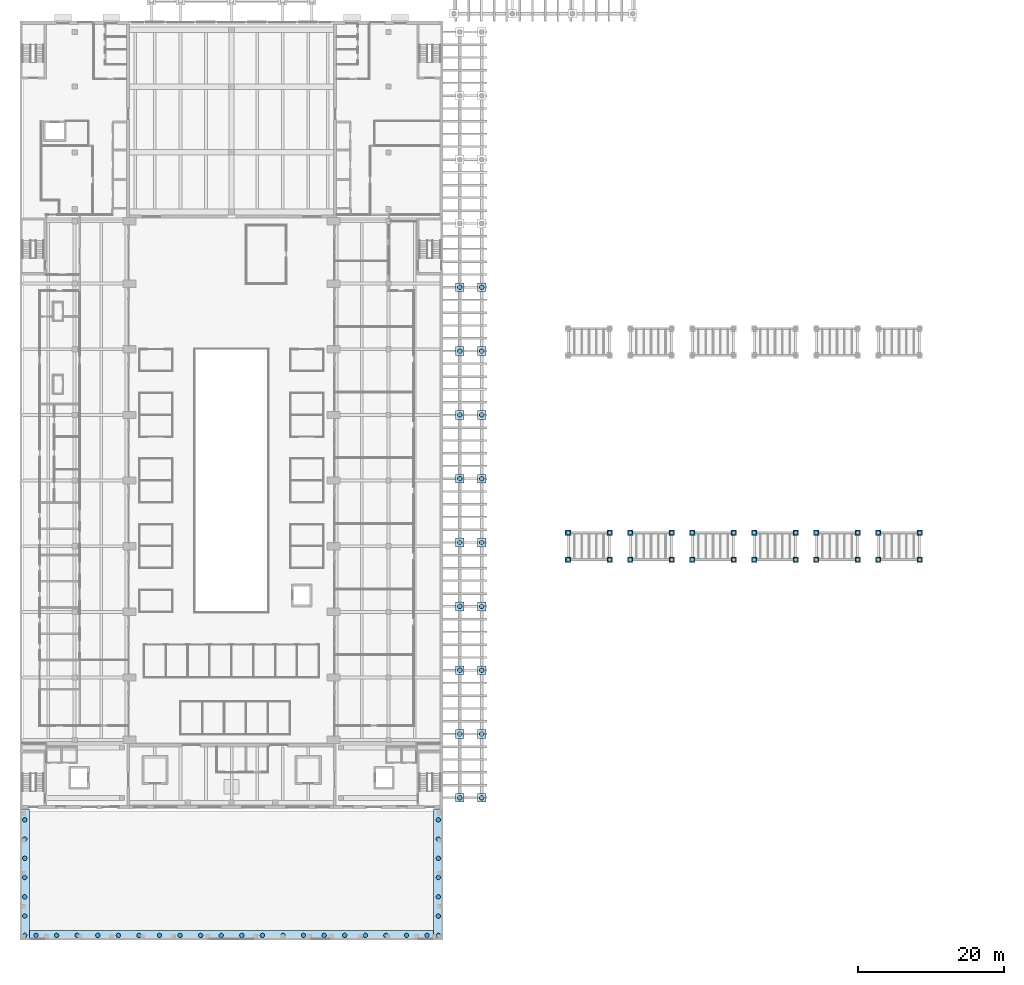
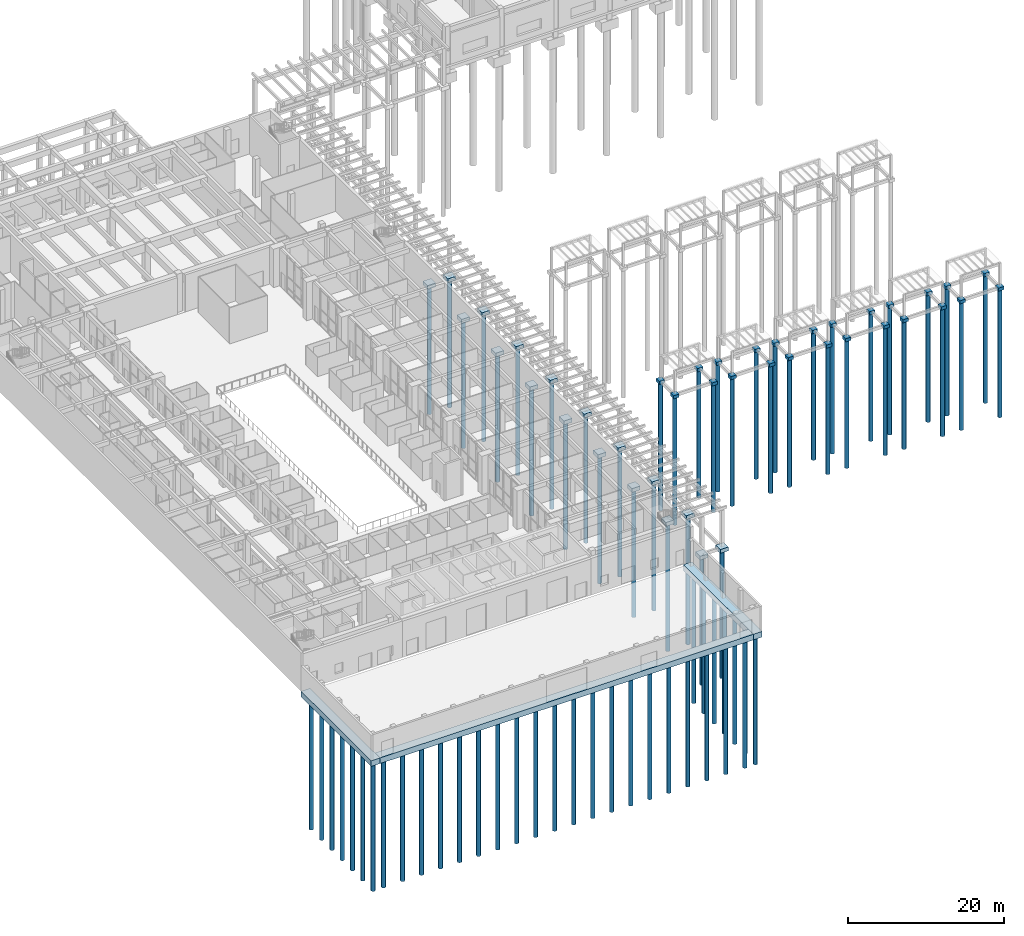
# One storey, part 1 of 51: 76 piles, 45 footings.
"""IFC4 building model written with IfcOpenShell, lengths in metres."""

from ifc_helpers import new_model, si_unit, direction, frame, origin, origin_2d, place, context, subcontext, project, spatial, polyline, circle, outline, extrude, material, layer, layer_set, material_profile, profile_set, type_object, element, save


model = new_model("IFC4")

# Units and contexts
model_context = context("Model", 3, precision=1e-05, world=origin(), true_north=direction((0.0, 1.0)))
body_context = subcontext(model_context, "Body", "Model", "MODEL_VIEW")
ifc_project = project(units=[si_unit("LENGTHUNIT", "METRE"), si_unit("AREAUNIT", "SQUARE_METRE"), si_unit("VOLUMEUNIT", "CUBIC_METRE"), si_unit("PLANEANGLEUNIT", "RADIAN"), si_unit("MASSUNIT", "GRAM", prefix="KILO")], contexts=[model_context])

# Site, building, storey
site_placement = place(None, origin())
site = spatial("IfcSite", under=ifc_project, at=site_placement, CompositionType="ELEMENT")
building_placement = place(site_placement, origin())
building = spatial("IfcBuilding", under=site, at=building_placement, Name="Elmora Arch Market Hall", CompositionType="ELEMENT")
storey_placement = place(building_placement, origin())
storey = spatial("IfcBuildingStorey", under=building, at=storey_placement, Name="L00", CompositionType="ELEMENT", Elevation=0.0)

# Piles
ifc_material_1 = material(Name="Concrete C40/50", Category="concrete")
ifc_material_profile = material_profile(ifc_material_1, circle(Radius=0.300048828125, at=origin_2d()), Name="Bored pile D600")
ifc_profile_set = profile_set([ifc_material_profile], Name="Concrete C40/50")
pile_type = type_object("IfcPileType", Name="Bored pile D600", PredefinedType="BORED", material=ifc_profile_set)
for number, where, z_axis, x_axis, name in (
    (1, (60.300048828125, 19.5, -0.89990234375), (0.0, 0.0, -1.0), (1.0, 0.0, 0.0), "Bored pile PASS-E-01"),
    (2, (60.300048828125, 28.25, -0.89990234375), (0.0, 0.0, -1.0), (1.0, 0.0, 0.0), "Bored pile PASS-E-02"),
    (3, (60.300048828125, 37.0, -0.89990234375), (0.0, 0.0, -1.0), (1.0, 0.0, 0.0), "Bored pile PASS-E-03"),
    (4, (60.300048828125, 45.75, -0.89990234375), (0.0, 0.0, -1.0), (1.0, 0.0, 0.0), "Bored pile PASS-E-04"),
    (5, (60.300048828125, 54.5, -0.89990234375), (0.0, 0.0, -1.0), (1.0, 0.0, 0.0), "Bored pile PASS-E-05"),
    (6, (60.300048828125, 63.25, -0.89990234375), (0.0, 0.0, -1.0), (1.0, 0.0, 0.0), "Bored pile PASS-E-06"),
    (7, (60.300048828125, 72.0, -0.89990234375), (0.0, 0.0, -1.0), (1.0, 0.0, 0.0), "Bored pile PASS-E-07"),
    (8, (60.300048828125, 80.75, -0.89990234375), (0.0, 0.0, -1.0), (1.0, 0.0, 0.0), "Bored pile PASS-E-08"),
    (9, (60.300048828125, 89.5, -0.89990234375), (0.0, 0.0, -1.0), (1.0, 0.0, 0.0), "Bored pile PASS-E-09"),
    (10, (63.300048828125, 19.5, -0.89990234375), (0.0, 0.0, -1.0), (1.0, 0.0, 0.0), "Bored pile PASS-E-14"),
    (11, (63.300048828125, 28.25, -0.89990234375), (0.0, 0.0, -1.0), (1.0, 0.0, 0.0), "Bored pile PASS-E-15"),
    (12, (63.300048828125, 37.0, -0.89990234375), (0.0, 0.0, -1.0), (1.0, 0.0, 0.0), "Bored pile PASS-E-16"),
    (13, (63.300048828125, 45.75, -0.89990234375), (0.0, 0.0, -1.0), (1.0, 0.0, 0.0), "Bored pile PASS-E-17"),
    (14, (63.300048828125, 54.5, -0.89990234375), (0.0, 0.0, -1.0), (1.0, 0.0, 0.0), "Bored pile PASS-E-18"),
    (15, (63.300048828125, 63.25, -0.89990234375), (0.0, 0.0, -1.0), (1.0, 0.0, 0.0), "Bored pile PASS-E-19"),
    (16, (63.300048828125, 72.0, -0.89990234375), (0.0, 0.0, -1.0), (1.0, 0.0, 0.0), "Bored pile PASS-E-20"),
    (17, (63.300048828125, 80.75, -0.89990234375), (0.0, 0.0, -1.0), (1.0, 0.0, 0.0), "Bored pile PASS-E-21"),
    (18, (63.300048828125, 89.5, -0.89990234375), (0.0, 0.0, -1.0), (1.0, 0.0, 0.0), "Bored pile PASS-E-22"),
    (19, (75.14990234375, 52.14990234375, -0.800048828125), (0.0, 0.0, -1.0), (1.0, 0.0, 0.0), "Bored pile STALL-11-1"),
    (20, (80.85009765625, 52.14990234375, -0.800048828125), (0.0, 0.0, -1.0), (1.0, 0.0, 0.0), "Bored pile STALL-11-2"),
    (21, (75.14990234375, 55.85009765625, -0.800048828125), (0.0, 0.0, -1.0), (1.0, 0.0, 0.0), "Bored pile STALL-11-3"),
    (22, (80.85009765625, 55.85009765625, -0.800048828125), (0.0, 0.0, -1.0), (1.0, 0.0, 0.0), "Bored pile STALL-11-4"),
    (23, (83.64990234375, 52.14990234375, -0.800048828125), (0.0, 0.0, -1.0), (1.0, 0.0, 0.0), "Bored pile STALL-12-1"),
    (24, (89.35009765625, 52.14990234375, -0.800048828125), (0.0, 0.0, -1.0), (1.0, 0.0, 0.0), "Bored pile STALL-12-2"),
    (25, (83.64990234375, 55.85009765625, -0.800048828125), (0.0, 0.0, -1.0), (1.0, 0.0, 0.0), "Bored pile STALL-12-3"),
    (26, (89.35009765625, 55.85009765625, -0.800048828125), (0.0, 0.0, -1.0), (1.0, 0.0, 0.0), "Bored pile STALL-12-4"),
    (27, (92.14990234375, 52.14990234375, -0.800048828125), (0.0, 0.0, -1.0), (1.0, 0.0, 0.0), "Bored pile STALL-13-1"),
    (28, (97.85009765625, 52.14990234375, -0.800048828125), (0.0, 0.0, -1.0), (1.0, 0.0, 0.0), "Bored pile STALL-13-2"),
    (29, (92.14990234375, 55.85009765625, -0.800048828125), (0.0, 0.0, -1.0), (1.0, 0.0, 0.0), "Bored pile STALL-13-3"),
    (30, (97.85009765625, 55.85009765625, -0.800048828125), (0.0, 0.0, -1.0), (1.0, 0.0, 0.0), "Bored pile STALL-13-4"),
    (31, (100.64990234375, 52.14990234375, -0.800048828125), (0.0, 0.0, -1.0), (1.0, 0.0, 0.0), "Bored pile STALL-14-1"),
    (32, (106.35009765625, 52.14990234375, -0.800048828125), (0.0, 0.0, -1.0), (1.0, 0.0, 0.0), "Bored pile STALL-14-2"),
    (33, (100.64990234375, 55.85009765625, -0.800048828125), (0.0, 0.0, -1.0), (1.0, 0.0, 0.0), "Bored pile STALL-14-3"),
    (34, (106.35009765625, 55.85009765625, -0.800048828125), (0.0, 0.0, -1.0), (1.0, 0.0, 0.0), "Bored pile STALL-14-4"),
    (35, (109.14990234375, 52.14990234375, -0.800048828125), (0.0, 0.0, -1.0), (1.0, 0.0, 0.0), "Bored pile STALL-15-1"),
    (36, (114.85009765625, 52.14990234375, -0.800048828125), (0.0, 0.0, -1.0), (1.0, 0.0, 0.0), "Bored pile STALL-15-2"),
    (37, (109.14990234375, 55.85009765625, -0.800048828125), (0.0, 0.0, -1.0), (1.0, 0.0, 0.0), "Bored pile STALL-15-3"),
    (38, (114.85009765625, 55.85009765625, -0.800048828125), (0.0, 0.0, -1.0), (1.0, 0.0, 0.0), "Bored pile STALL-15-4"),
    (39, (117.64990234375, 52.14990234375, -0.800048828125), (0.0, 0.0, -1.0), (1.0, 0.0, 0.0), "Bored pile STALL-16-1"),
    (40, (123.35009765625, 52.14990234375, -0.800048828125), (0.0, 0.0, -1.0), (1.0, 0.0, 0.0), "Bored pile STALL-16-2"),
    (41, (117.64990234375, 55.85009765625, -0.800048828125), (0.0, 0.0, -1.0), (1.0, 0.0, 0.0), "Bored pile STALL-16-3"),
    (42, (123.35009765625, 55.85009765625, -0.800048828125), (0.0, 0.0, -1.0), (1.0, 0.0, 0.0), "Bored pile STALL-16-4"),
    (43, (0.64990234375, 0.64990234375, -0.89990234375), (0.0, 0.0, -1.0), (1.0, 0.0, 0.0), "Bored pile 901.01"),
    (44, (0.64990234375, 3.2900390625, -0.89990234375), (0.0, 0.0, -1.0), (1.0, 0.0, 0.0), "Bored pile 901.02"),
    (45, (0.64990234375, 5.929931640625, -0.89990234375), (0.0, 0.0, -1.0), (1.0, 0.0, 0.0), "Bored pile 901.03"),
    (46, (0.64990234375, 8.570068359375, -0.89990234375), (0.0, 0.0, -1.0), (1.0, 0.0, 0.0), "Bored pile 901.04"),
    (47, (0.64990234375, 11.2099609375, -0.89990234375), (0.0, 0.0, -1.0), (1.0, 0.0, 0.0), "Bored pile 901.05"),
    (48, (0.64990234375, 13.85009765625, -0.89990234375), (0.0, 0.0, -1.0), (1.0, 0.0, 0.0), "Bored pile 901.06"),
    (49, (0.64990234375, 16.489990234375, -0.89990234375), (0.0, 0.0, -1.0), (1.0, 0.0, 0.0), "Bored pile 901.07"),
    (50, (2.199951171875, 0.64990234375, -0.89990234375), (0.0, 0.0, -1.0), (1.0, 0.0, 0.0), "Bored pile 902.01"),
    (51, (5.02099609375, 0.64990234375, -0.89990234375), (0.0, 0.0, -1.0), (1.0, 0.0, 0.0), "Bored pile 902.02"),
    (52, (7.842041015625, 0.64990234375, -0.89990234375), (0.0, 0.0, -1.0), (1.0, 0.0, 0.0), "Bored pile 902.03"),
    (53, (10.6630859375, 0.64990234375, -0.89990234375), (0.0, 0.0, -1.0), (1.0, 0.0, 0.0), "Bored pile 902.04"),
    (54, (13.484130859375, 0.64990234375, -0.89990234375), (0.0, 0.0, -1.0), (1.0, 0.0, 0.0), "Bored pile 902.05"),
    (55, (16.30517578125, 0.64990234375, -0.89990234375), (0.0, 0.0, -1.0), (1.0, 0.0, 0.0), "Bored pile 902.06"),
    (56, (19.126220703125, 0.64990234375, -0.89990234375), (0.0, 0.0, -1.0), (1.0, 0.0, 0.0), "Bored pile 902.07"),
    (57, (21.947265625, 0.64990234375, -0.89990234375), (0.0, 0.0, -1.0), (1.0, 0.0, 0.0), "Bored pile 902.08"),
    (58, (24.768310546875, 0.64990234375, -0.89990234375), (0.0, 0.0, -1.0), (1.0, 0.0, 0.0), "Bored pile 902.09"),
    (59, (27.58935546875, 0.64990234375, -0.89990234375), (0.0, 0.0, -1.0), (1.0, 0.0, 0.0), "Bored pile 902.10"),
    (60, (30.41064453125, 0.64990234375, -0.89990234375), (0.0, 0.0, -1.0), (1.0, 0.0, 0.0), "Bored pile 902.11"),
    (61, (33.231689453125, 0.64990234375, -0.89990234375), (0.0, 0.0, -1.0), (1.0, 0.0, 0.0), "Bored pile 902.12"),
    (62, (36.052734375, 0.64990234375, -0.89990234375), (0.0, 0.0, -1.0), (1.0, 0.0, 0.0), "Bored pile 902.13"),
    (63, (38.873779296875, 0.64990234375, -0.89990234375), (0.0, 0.0, -1.0), (1.0, 0.0, 0.0), "Bored pile 902.14"),
    (64, (41.69482421875, 0.64990234375, -0.89990234375), (0.0, 0.0, -1.0), (1.0, 0.0, 0.0), "Bored pile 902.15"),
    (65, (44.515869140625, 0.64990234375, -0.89990234375), (0.0, 0.0, -1.0), (1.0, 0.0, 0.0), "Bored pile 902.16"),
    (66, (47.3369140625, 0.64990234375, -0.89990234375), (0.0, 0.0, -1.0), (1.0, 0.0, 0.0), "Bored pile 902.17"),
    (67, (50.157958984375, 0.64990234375, -0.89990234375), (0.0, 0.0, -1.0), (1.0, 0.0, 0.0), "Bored pile 902.18"),
    (68, (52.97900390625, 0.64990234375, -0.89990234375), (0.0, 0.0, -1.0), (1.0, 0.0, 0.0), "Bored pile 902.19"),
    (69, (55.800048828125, 0.64990234375, -0.89990234375), (0.0, 0.0, -1.0), (1.0, 0.0, 0.0), "Bored pile 902.20"),
    (70, (57.35009765625, 0.64990234375, -0.89990234375), (0.0, 0.0, -1.0), (1.0, 0.0, 0.0), "Bored pile 903.01"),
    (71, (57.35009765625, 3.2900390625, -0.89990234375), (0.0, 0.0, -1.0), (1.0, 0.0, 0.0), "Bored pile 903.02"),
    (72, (57.35009765625, 5.929931640625, -0.89990234375), (0.0, 0.0, -1.0), (1.0, 0.0, 0.0), "Bored pile 903.03"),
    (73, (57.35009765625, 8.570068359375, -0.89990234375), (0.0, 0.0, -1.0), (1.0, 0.0, 0.0), "Bored pile 903.04"),
    (74, (57.35009765625, 11.2099609375, -0.89990234375), (0.0, 0.0, -1.0), (1.0, 0.0, 0.0), "Bored pile 903.05"),
    (75, (57.35009765625, 13.85009765625, -0.89990234375), (0.0, 0.0, -1.0), (1.0, 0.0, 0.0), "Bored pile 903.06"),
    (76, (57.35009765625, 16.489990234375, -0.89990234375), (0.0, 0.0, -1.0), (1.0, 0.0, 0.0), "Bored pile 903.07"),
):
    element("IfcPile", number, at=place(storey_placement, frame(where, z_axis=z_axis, x_axis=x_axis)), inside=storey, type_object=pile_type, Name=name, PredefinedType="BORED", context=body_context, shape_type="SweptSolid", body=[
        extrude(circle(Radius=0.300048828125, at=origin_2d()), origin(), (0.0, 0.0, 1.0), 20.0),
    ])

# Footings
ifc_material_2 = material(Name="Concrete C40/50", Category="concrete")
ifc_layer_1 = layer(ifc_material_2, 0.5)
ifc_layer_set_1 = layer_set([ifc_layer_1], Name="Concrete C40/50")
footing_type_1 = type_object("IfcFootingType", Name="Pad footing 500", PredefinedType="PAD_FOOTING", material=ifc_layer_set_1)
footing_1_placement = place(storey_placement, frame((0.0, 0.0, -0.800048828125)))
element("IfcFooting", 77, at=footing_1_placement, inside=storey, type_object=footing_type_1, Name="Pad footing STALL-11-1", PredefinedType="PAD_FOOTING", context=body_context, shape_type="SweptSolid", body=[
    extrude(outline(polyline([(74.75, 51.75), (75.550048828125, 51.75), (75.550048828125, 52.550048828125), (74.75, 52.550048828125), (74.75, 51.75)])), origin(), (0.0, 0.0, 1.0), 0.5),
])
footing_2_placement = place(storey_placement, frame((0.0, 0.0, -0.800048828125)))
element("IfcFooting", 78, at=footing_2_placement, inside=storey, type_object=footing_type_1, Name="Pad footing STALL-11-2", PredefinedType="PAD_FOOTING", context=body_context, shape_type="SweptSolid", body=[
    extrude(outline(polyline([(80.449951171875, 51.75), (81.25, 51.75), (81.25, 52.550048828125), (80.449951171875, 52.550048828125), (80.449951171875, 51.75)])), origin(), (0.0, 0.0, 1.0), 0.5),
])
footing_3_placement = place(storey_placement, frame((0.0, 0.0, -0.800048828125)))
element("IfcFooting", 79, at=footing_3_placement, inside=storey, type_object=footing_type_1, Name="Pad footing STALL-11-3", PredefinedType="PAD_FOOTING", context=body_context, shape_type="SweptSolid", body=[
    extrude(outline(polyline([(74.75, 55.449951171875), (75.550048828125, 55.449951171875), (75.550048828125, 56.25), (74.75, 56.25), (74.75, 55.449951171875)])), origin(), (0.0, 0.0, 1.0), 0.5),
])
footing_4_placement = place(storey_placement, frame((0.0, 0.0, -0.800048828125)))
element("IfcFooting", 80, at=footing_4_placement, inside=storey, type_object=footing_type_1, Name="Pad footing STALL-11-4", PredefinedType="PAD_FOOTING", context=body_context, shape_type="SweptSolid", body=[
    extrude(outline(polyline([(80.449951171875, 55.449951171875), (81.25, 55.449951171875), (81.25, 56.25), (80.449951171875, 56.25), (80.449951171875, 55.449951171875)])), origin(), (0.0, 0.0, 1.0), 0.5),
])
footing_5_placement = place(storey_placement, frame((0.0, 0.0, -0.800048828125)))
element("IfcFooting", 81, at=footing_5_placement, inside=storey, type_object=footing_type_1, Name="Pad footing STALL-12-1", PredefinedType="PAD_FOOTING", context=body_context, shape_type="SweptSolid", body=[
    extrude(outline(polyline([(83.25, 51.75), (84.050048828125, 51.75), (84.050048828125, 52.550048828125), (83.25, 52.550048828125), (83.25, 51.75)])), origin(), (0.0, 0.0, 1.0), 0.5),
])
footing_6_placement = place(storey_placement, frame((0.0, 0.0, -0.800048828125)))
element("IfcFooting", 82, at=footing_6_placement, inside=storey, type_object=footing_type_1, Name="Pad footing STALL-12-2", PredefinedType="PAD_FOOTING", context=body_context, shape_type="SweptSolid", body=[
    extrude(outline(polyline([(88.949951171875, 51.75), (89.75, 51.75), (89.75, 52.550048828125), (88.949951171875, 52.550048828125), (88.949951171875, 51.75)])), origin(), (0.0, 0.0, 1.0), 0.5),
])
footing_7_placement = place(storey_placement, frame((0.0, 0.0, -0.800048828125)))
element("IfcFooting", 83, at=footing_7_placement, inside=storey, type_object=footing_type_1, Name="Pad footing STALL-12-3", PredefinedType="PAD_FOOTING", context=body_context, shape_type="SweptSolid", body=[
    extrude(outline(polyline([(83.25, 55.449951171875), (84.050048828125, 55.449951171875), (84.050048828125, 56.25), (83.25, 56.25), (83.25, 55.449951171875)])), origin(), (0.0, 0.0, 1.0), 0.5),
])
footing_8_placement = place(storey_placement, frame((0.0, 0.0, -0.800048828125)))
element("IfcFooting", 84, at=footing_8_placement, inside=storey, type_object=footing_type_1, Name="Pad footing STALL-12-4", PredefinedType="PAD_FOOTING", context=body_context, shape_type="SweptSolid", body=[
    extrude(outline(polyline([(88.949951171875, 55.449951171875), (89.75, 55.449951171875), (89.75, 56.25), (88.949951171875, 56.25), (88.949951171875, 55.449951171875)])), origin(), (0.0, 0.0, 1.0), 0.5),
])
footing_9_placement = place(storey_placement, frame((0.0, 0.0, -0.800048828125)))
element("IfcFooting", 85, at=footing_9_placement, inside=storey, type_object=footing_type_1, Name="Pad footing STALL-13-1", PredefinedType="PAD_FOOTING", context=body_context, shape_type="SweptSolid", body=[
    extrude(outline(polyline([(91.75, 51.75), (92.550048828125, 51.75), (92.550048828125, 52.550048828125), (91.75, 52.550048828125), (91.75, 51.75)])), origin(), (0.0, 0.0, 1.0), 0.5),
])
footing_10_placement = place(storey_placement, frame((0.0, 0.0, -0.800048828125)))
element("IfcFooting", 86, at=footing_10_placement, inside=storey, type_object=footing_type_1, Name="Pad footing STALL-13-2", PredefinedType="PAD_FOOTING", context=body_context, shape_type="SweptSolid", body=[
    extrude(outline(polyline([(97.449951171875, 51.75), (98.25, 51.75), (98.25, 52.550048828125), (97.449951171875, 52.550048828125), (97.449951171875, 51.75)])), origin(), (0.0, 0.0, 1.0), 0.5),
])
footing_11_placement = place(storey_placement, frame((0.0, 0.0, -0.800048828125)))
element("IfcFooting", 87, at=footing_11_placement, inside=storey, type_object=footing_type_1, Name="Pad footing STALL-13-3", PredefinedType="PAD_FOOTING", context=body_context, shape_type="SweptSolid", body=[
    extrude(outline(polyline([(91.75, 55.449951171875), (92.550048828125, 55.449951171875), (92.550048828125, 56.25), (91.75, 56.25), (91.75, 55.449951171875)])), origin(), (0.0, 0.0, 1.0), 0.5),
])
footing_12_placement = place(storey_placement, frame((0.0, 0.0, -0.800048828125)))
element("IfcFooting", 88, at=footing_12_placement, inside=storey, type_object=footing_type_1, Name="Pad footing STALL-13-4", PredefinedType="PAD_FOOTING", context=body_context, shape_type="SweptSolid", body=[
    extrude(outline(polyline([(97.449951171875, 55.449951171875), (98.25, 55.449951171875), (98.25, 56.25), (97.449951171875, 56.25), (97.449951171875, 55.449951171875)])), origin(), (0.0, 0.0, 1.0), 0.5),
])
footing_13_placement = place(storey_placement, frame((0.0, 0.0, -0.800048828125)))
element("IfcFooting", 89, at=footing_13_placement, inside=storey, type_object=footing_type_1, Name="Pad footing STALL-14-1", PredefinedType="PAD_FOOTING", context=body_context, shape_type="SweptSolid", body=[
    extrude(outline(polyline([(100.25, 51.75), (101.050048828125, 51.75), (101.050048828125, 52.550048828125), (100.25, 52.550048828125), (100.25, 51.75)])), origin(), (0.0, 0.0, 1.0), 0.5),
])
footing_14_placement = place(storey_placement, frame((0.0, 0.0, -0.800048828125)))
element("IfcFooting", 90, at=footing_14_placement, inside=storey, type_object=footing_type_1, Name="Pad footing STALL-14-2", PredefinedType="PAD_FOOTING", context=body_context, shape_type="SweptSolid", body=[
    extrude(outline(polyline([(105.949951171875, 51.75), (106.75, 51.75), (106.75, 52.550048828125), (105.949951171875, 52.550048828125), (105.949951171875, 51.75)])), origin(), (0.0, 0.0, 1.0), 0.5),
])
footing_15_placement = place(storey_placement, frame((0.0, 0.0, -0.800048828125)))
element("IfcFooting", 91, at=footing_15_placement, inside=storey, type_object=footing_type_1, Name="Pad footing STALL-14-3", PredefinedType="PAD_FOOTING", context=body_context, shape_type="SweptSolid", body=[
    extrude(outline(polyline([(100.25, 55.449951171875), (101.050048828125, 55.449951171875), (101.050048828125, 56.25), (100.25, 56.25), (100.25, 55.449951171875)])), origin(), (0.0, 0.0, 1.0), 0.5),
])
footing_16_placement = place(storey_placement, frame((0.0, 0.0, -0.800048828125)))
element("IfcFooting", 92, at=footing_16_placement, inside=storey, type_object=footing_type_1, Name="Pad footing STALL-14-4", PredefinedType="PAD_FOOTING", context=body_context, shape_type="SweptSolid", body=[
    extrude(outline(polyline([(105.949951171875, 55.449951171875), (106.75, 55.449951171875), (106.75, 56.25), (105.949951171875, 56.25), (105.949951171875, 55.449951171875)])), origin(), (0.0, 0.0, 1.0), 0.5),
])
footing_17_placement = place(storey_placement, frame((0.0, 0.0, -0.800048828125)))
element("IfcFooting", 93, at=footing_17_placement, inside=storey, type_object=footing_type_1, Name="Pad footing STALL-15-1", PredefinedType="PAD_FOOTING", context=body_context, shape_type="SweptSolid", body=[
    extrude(outline(polyline([(108.75, 51.75), (109.550048828125, 51.75), (109.550048828125, 52.550048828125), (108.75, 52.550048828125), (108.75, 51.75)])), origin(), (0.0, 0.0, 1.0), 0.5),
])
footing_18_placement = place(storey_placement, frame((0.0, 0.0, -0.800048828125)))
element("IfcFooting", 94, at=footing_18_placement, inside=storey, type_object=footing_type_1, Name="Pad footing STALL-15-2", PredefinedType="PAD_FOOTING", context=body_context, shape_type="SweptSolid", body=[
    extrude(outline(polyline([(114.449951171875, 51.75), (115.25, 51.75), (115.25, 52.550048828125), (114.449951171875, 52.550048828125), (114.449951171875, 51.75)])), origin(), (0.0, 0.0, 1.0), 0.5),
])
footing_19_placement = place(storey_placement, frame((0.0, 0.0, -0.800048828125)))
element("IfcFooting", 95, at=footing_19_placement, inside=storey, type_object=footing_type_1, Name="Pad footing STALL-15-3", PredefinedType="PAD_FOOTING", context=body_context, shape_type="SweptSolid", body=[
    extrude(outline(polyline([(108.75, 55.449951171875), (109.550048828125, 55.449951171875), (109.550048828125, 56.25), (108.75, 56.25), (108.75, 55.449951171875)])), origin(), (0.0, 0.0, 1.0), 0.5),
])
footing_20_placement = place(storey_placement, frame((0.0, 0.0, -0.800048828125)))
element("IfcFooting", 96, at=footing_20_placement, inside=storey, type_object=footing_type_1, Name="Pad footing STALL-15-4", PredefinedType="PAD_FOOTING", context=body_context, shape_type="SweptSolid", body=[
    extrude(outline(polyline([(114.449951171875, 55.449951171875), (115.25, 55.449951171875), (115.25, 56.25), (114.449951171875, 56.25), (114.449951171875, 55.449951171875)])), origin(), (0.0, 0.0, 1.0), 0.5),
])
footing_21_placement = place(storey_placement, frame((0.0, 0.0, -0.800048828125)))
element("IfcFooting", 97, at=footing_21_placement, inside=storey, type_object=footing_type_1, Name="Pad footing STALL-16-1", PredefinedType="PAD_FOOTING", context=body_context, shape_type="SweptSolid", body=[
    extrude(outline(polyline([(117.25, 51.75), (118.050048828125, 51.75), (118.050048828125, 52.550048828125), (117.25, 52.550048828125), (117.25, 51.75)])), origin(), (0.0, 0.0, 1.0), 0.5),
])
footing_22_placement = place(storey_placement, frame((0.0, 0.0, -0.800048828125)))
element("IfcFooting", 98, at=footing_22_placement, inside=storey, type_object=footing_type_1, Name="Pad footing STALL-16-2", PredefinedType="PAD_FOOTING", context=body_context, shape_type="SweptSolid", body=[
    extrude(outline(polyline([(122.949951171875, 51.75), (123.75, 51.75), (123.75, 52.550048828125), (122.949951171875, 52.550048828125), (122.949951171875, 51.75)])), origin(), (0.0, 0.0, 1.0), 0.5),
])
footing_23_placement = place(storey_placement, frame((0.0, 0.0, -0.800048828125)))
element("IfcFooting", 99, at=footing_23_placement, inside=storey, type_object=footing_type_1, Name="Pad footing STALL-16-3", PredefinedType="PAD_FOOTING", context=body_context, shape_type="SweptSolid", body=[
    extrude(outline(polyline([(117.25, 55.449951171875), (118.050048828125, 55.449951171875), (118.050048828125, 56.25), (117.25, 56.25), (117.25, 55.449951171875)])), origin(), (0.0, 0.0, 1.0), 0.5),
])
footing_24_placement = place(storey_placement, frame((0.0, 0.0, -0.800048828125)))
element("IfcFooting", 100, at=footing_24_placement, inside=storey, type_object=footing_type_1, Name="Pad footing STALL-16-4", PredefinedType="PAD_FOOTING", context=body_context, shape_type="SweptSolid", body=[
    extrude(outline(polyline([(122.949951171875, 55.449951171875), (123.75, 55.449951171875), (123.75, 56.25), (122.949951171875, 56.25), (122.949951171875, 55.449951171875)])), origin(), (0.0, 0.0, 1.0), 0.5),
])
ifc_material_3 = material(Name="Concrete C40/50", Category="concrete")
ifc_layer_2 = layer(ifc_material_3, 0.60009765625)
ifc_layer_set_2 = layer_set([ifc_layer_2], Name="Concrete C40/50")
footing_type_2 = type_object("IfcFootingType", Name="Pad footing 600", PredefinedType="PAD_FOOTING", material=ifc_layer_set_2)
footing_25_placement = place(storey_placement, frame((0.0, 0.0, -0.89990234375)))
element("IfcFooting", 101, at=footing_25_placement, inside=storey, type_object=footing_type_2, Name="Pad footing PASS-E-01", PredefinedType="PAD_FOOTING", context=body_context, shape_type="SweptSolid", body=[
    extrude(outline(polyline([(59.699951171875, 18.89990234375), (60.89990234375, 18.89990234375), (60.89990234375, 20.10009765625), (59.699951171875, 20.10009765625), (59.699951171875, 18.89990234375)])), origin(), (0.0, 0.0, 1.0), 0.599853515625),
])
footing_26_placement = place(storey_placement, frame((0.0, 0.0, -0.89990234375)))
element("IfcFooting", 102, at=footing_26_placement, inside=storey, type_object=footing_type_2, Name="Pad footing PASS-E-02", PredefinedType="PAD_FOOTING", context=body_context, shape_type="SweptSolid", body=[
    extrude(outline(polyline([(59.699951171875, 27.64990234375), (60.89990234375, 27.64990234375), (60.89990234375, 28.85009765625), (59.699951171875, 28.85009765625), (59.699951171875, 27.64990234375)])), origin(), (0.0, 0.0, 1.0), 0.599853515625),
])
footing_27_placement = place(storey_placement, frame((0.0, 0.0, -0.89990234375)))
element("IfcFooting", 103, at=footing_27_placement, inside=storey, type_object=footing_type_2, Name="Pad footing PASS-E-03", PredefinedType="PAD_FOOTING", context=body_context, shape_type="SweptSolid", body=[
    extrude(outline(polyline([(59.699951171875, 36.39990234375), (60.89990234375, 36.39990234375), (60.89990234375, 37.60009765625), (59.699951171875, 37.60009765625), (59.699951171875, 36.39990234375)])), origin(), (0.0, 0.0, 1.0), 0.599853515625),
])
footing_28_placement = place(storey_placement, frame((0.0, 0.0, -0.89990234375)))
element("IfcFooting", 104, at=footing_28_placement, inside=storey, type_object=footing_type_2, Name="Pad footing PASS-E-04", PredefinedType="PAD_FOOTING", context=body_context, shape_type="SweptSolid", body=[
    extrude(outline(polyline([(59.699951171875, 45.14990234375), (60.89990234375, 45.14990234375), (60.89990234375, 46.35009765625), (59.699951171875, 46.35009765625), (59.699951171875, 45.14990234375)])), origin(), (0.0, 0.0, 1.0), 0.599853515625),
])
footing_29_placement = place(storey_placement, frame((0.0, 0.0, -0.89990234375)))
element("IfcFooting", 105, at=footing_29_placement, inside=storey, type_object=footing_type_2, Name="Pad footing PASS-E-05", PredefinedType="PAD_FOOTING", context=body_context, shape_type="SweptSolid", body=[
    extrude(outline(polyline([(59.699951171875, 53.89990234375), (60.89990234375, 53.89990234375), (60.89990234375, 55.10009765625), (59.699951171875, 55.10009765625), (59.699951171875, 53.89990234375)])), origin(), (0.0, 0.0, 1.0), 0.599853515625),
])
footing_30_placement = place(storey_placement, frame((0.0, 0.0, -0.89990234375)))
element("IfcFooting", 106, at=footing_30_placement, inside=storey, type_object=footing_type_2, Name="Pad footing PASS-E-06", PredefinedType="PAD_FOOTING", context=body_context, shape_type="SweptSolid", body=[
    extrude(outline(polyline([(59.699951171875, 62.64990234375), (60.89990234375, 62.64990234375), (60.89990234375, 63.85009765625), (59.699951171875, 63.85009765625), (59.699951171875, 62.64990234375)])), origin(), (0.0, 0.0, 1.0), 0.599853515625),
])
footing_31_placement = place(storey_placement, frame((0.0, 0.0, -0.89990234375)))
element("IfcFooting", 107, at=footing_31_placement, inside=storey, type_object=footing_type_2, Name="Pad footing PASS-E-07", PredefinedType="PAD_FOOTING", context=body_context, shape_type="SweptSolid", body=[
    extrude(outline(polyline([(59.699951171875, 71.39990234375), (60.89990234375, 71.39990234375), (60.89990234375, 72.60009765625), (59.699951171875, 72.60009765625), (59.699951171875, 71.39990234375)])), origin(), (0.0, 0.0, 1.0), 0.599853515625),
])
footing_32_placement = place(storey_placement, frame((0.0, 0.0, -0.89990234375)))
element("IfcFooting", 108, at=footing_32_placement, inside=storey, type_object=footing_type_2, Name="Pad footing PASS-E-08", PredefinedType="PAD_FOOTING", context=body_context, shape_type="SweptSolid", body=[
    extrude(outline(polyline([(59.699951171875, 80.14990234375), (60.89990234375, 80.14990234375), (60.89990234375, 81.35009765625), (59.699951171875, 81.35009765625), (59.699951171875, 80.14990234375)])), origin(), (0.0, 0.0, 1.0), 0.599853515625),
])
footing_33_placement = place(storey_placement, frame((0.0, 0.0, -0.89990234375)))
element("IfcFooting", 109, at=footing_33_placement, inside=storey, type_object=footing_type_2, Name="Pad footing PASS-E-09", PredefinedType="PAD_FOOTING", context=body_context, shape_type="SweptSolid", body=[
    extrude(outline(polyline([(59.699951171875, 88.89990234375), (60.89990234375, 88.89990234375), (60.89990234375, 90.10009765625), (59.699951171875, 90.10009765625), (59.699951171875, 88.89990234375)])), origin(), (0.0, 0.0, 1.0), 0.599853515625),
])
footing_34_placement = place(storey_placement, frame((0.0, 0.0, -0.89990234375)))
element("IfcFooting", 110, at=footing_34_placement, inside=storey, type_object=footing_type_2, Name="Pad footing PASS-E-14", PredefinedType="PAD_FOOTING", context=body_context, shape_type="SweptSolid", body=[
    extrude(outline(polyline([(62.699951171875, 18.89990234375), (63.89990234375, 18.89990234375), (63.89990234375, 20.10009765625), (62.699951171875, 20.10009765625), (62.699951171875, 18.89990234375)])), origin(), (0.0, 0.0, 1.0), 0.599853515625),
])
footing_35_placement = place(storey_placement, frame((0.0, 0.0, -0.89990234375)))
element("IfcFooting", 111, at=footing_35_placement, inside=storey, type_object=footing_type_2, Name="Pad footing PASS-E-15", PredefinedType="PAD_FOOTING", context=body_context, shape_type="SweptSolid", body=[
    extrude(outline(polyline([(62.699951171875, 27.64990234375), (63.89990234375, 27.64990234375), (63.89990234375, 28.85009765625), (62.699951171875, 28.85009765625), (62.699951171875, 27.64990234375)])), origin(), (0.0, 0.0, 1.0), 0.599853515625),
])
footing_36_placement = place(storey_placement, frame((0.0, 0.0, -0.89990234375)))
element("IfcFooting", 112, at=footing_36_placement, inside=storey, type_object=footing_type_2, Name="Pad footing PASS-E-16", PredefinedType="PAD_FOOTING", context=body_context, shape_type="SweptSolid", body=[
    extrude(outline(polyline([(62.699951171875, 36.39990234375), (63.89990234375, 36.39990234375), (63.89990234375, 37.60009765625), (62.699951171875, 37.60009765625), (62.699951171875, 36.39990234375)])), origin(), (0.0, 0.0, 1.0), 0.599853515625),
])
footing_37_placement = place(storey_placement, frame((0.0, 0.0, -0.89990234375)))
element("IfcFooting", 113, at=footing_37_placement, inside=storey, type_object=footing_type_2, Name="Pad footing PASS-E-17", PredefinedType="PAD_FOOTING", context=body_context, shape_type="SweptSolid", body=[
    extrude(outline(polyline([(62.699951171875, 45.14990234375), (63.89990234375, 45.14990234375), (63.89990234375, 46.35009765625), (62.699951171875, 46.35009765625), (62.699951171875, 45.14990234375)])), origin(), (0.0, 0.0, 1.0), 0.599853515625),
])
footing_38_placement = place(storey_placement, frame((0.0, 0.0, -0.89990234375)))
element("IfcFooting", 114, at=footing_38_placement, inside=storey, type_object=footing_type_2, Name="Pad footing PASS-E-18", PredefinedType="PAD_FOOTING", context=body_context, shape_type="SweptSolid", body=[
    extrude(outline(polyline([(62.699951171875, 53.89990234375), (63.89990234375, 53.89990234375), (63.89990234375, 55.10009765625), (62.699951171875, 55.10009765625), (62.699951171875, 53.89990234375)])), origin(), (0.0, 0.0, 1.0), 0.599853515625),
])
footing_39_placement = place(storey_placement, frame((0.0, 0.0, -0.89990234375)))
element("IfcFooting", 115, at=footing_39_placement, inside=storey, type_object=footing_type_2, Name="Pad footing PASS-E-19", PredefinedType="PAD_FOOTING", context=body_context, shape_type="SweptSolid", body=[
    extrude(outline(polyline([(62.699951171875, 62.64990234375), (63.89990234375, 62.64990234375), (63.89990234375, 63.85009765625), (62.699951171875, 63.85009765625), (62.699951171875, 62.64990234375)])), origin(), (0.0, 0.0, 1.0), 0.599853515625),
])
footing_40_placement = place(storey_placement, frame((0.0, 0.0, -0.89990234375)))
element("IfcFooting", 116, at=footing_40_placement, inside=storey, type_object=footing_type_2, Name="Pad footing PASS-E-20", PredefinedType="PAD_FOOTING", context=body_context, shape_type="SweptSolid", body=[
    extrude(outline(polyline([(62.699951171875, 71.39990234375), (63.89990234375, 71.39990234375), (63.89990234375, 72.60009765625), (62.699951171875, 72.60009765625), (62.699951171875, 71.39990234375)])), origin(), (0.0, 0.0, 1.0), 0.599853515625),
])
footing_41_placement = place(storey_placement, frame((0.0, 0.0, -0.89990234375)))
element("IfcFooting", 117, at=footing_41_placement, inside=storey, type_object=footing_type_2, Name="Pad footing PASS-E-21", PredefinedType="PAD_FOOTING", context=body_context, shape_type="SweptSolid", body=[
    extrude(outline(polyline([(62.699951171875, 80.14990234375), (63.89990234375, 80.14990234375), (63.89990234375, 81.35009765625), (62.699951171875, 81.35009765625), (62.699951171875, 80.14990234375)])), origin(), (0.0, 0.0, 1.0), 0.599853515625),
])
footing_42_placement = place(storey_placement, frame((0.0, 0.0, -0.89990234375)))
element("IfcFooting", 118, at=footing_42_placement, inside=storey, type_object=footing_type_2, Name="Pad footing PASS-E-22", PredefinedType="PAD_FOOTING", context=body_context, shape_type="SweptSolid", body=[
    extrude(outline(polyline([(62.699951171875, 88.89990234375), (63.89990234375, 88.89990234375), (63.89990234375, 90.10009765625), (62.699951171875, 90.10009765625), (62.699951171875, 88.89990234375)])), origin(), (0.0, 0.0, 1.0), 0.599853515625),
])
ifc_material_4 = material(Name="Concrete C40/50", Category="concrete")
ifc_layer_3 = layer(ifc_material_4, 0.89990234375)
ifc_layer_set_3 = layer_set([ifc_layer_3], Name="Concrete C40/50")
footing_type_3 = type_object("IfcFootingType", Name="Yard wall footing 900", PredefinedType="STRIP_FOOTING", material=ifc_layer_set_3)
footing_43_placement = place(storey_placement, frame((0.0, 0.0, -0.89990234375)))
element("IfcFooting", 119, at=footing_43_placement, inside=storey, type_object=footing_type_3, Name="Yard wall footing 901", PredefinedType="STRIP_FOOTING", context=body_context, shape_type="SweptSolid", body=[
    extrude(outline(polyline([(0.0, 0.0), (1.300048828125, 0.0), (1.300048828125, 18.0), (0.0, 18.0), (0.0, 0.0)])), origin(), (0.0, 0.0, 1.0), 0.89990234375),
])
footing_44_placement = place(storey_placement, frame((0.0, 0.0, -0.89990234375)))
element("IfcFooting", 120, at=footing_44_placement, inside=storey, type_object=footing_type_3, Name="Yard wall footing 902", PredefinedType="STRIP_FOOTING", context=body_context, shape_type="SweptSolid", body=[
    extrude(outline(polyline([(1.300048828125, 0.0), (56.699951171875, 0.0), (56.699951171875, 1.300048828125), (1.300048828125, 1.300048828125), (1.300048828125, 0.0)])), origin(), (0.0, 0.0, 1.0), 0.89990234375),
])
footing_45_placement = place(storey_placement, frame((0.0, 0.0, -0.89990234375)))
element("IfcFooting", 121, at=footing_45_placement, inside=storey, type_object=footing_type_3, Name="Yard wall footing 903", PredefinedType="STRIP_FOOTING", context=body_context, shape_type="SweptSolid", body=[
    extrude(outline(polyline([(56.699951171875, 0.0), (58.0, 0.0), (58.0, 18.0), (56.699951171875, 18.0), (56.699951171875, 0.0)])), origin(), (0.0, 0.0, 1.0), 0.89990234375),
])

save(model, "model.ifc")
